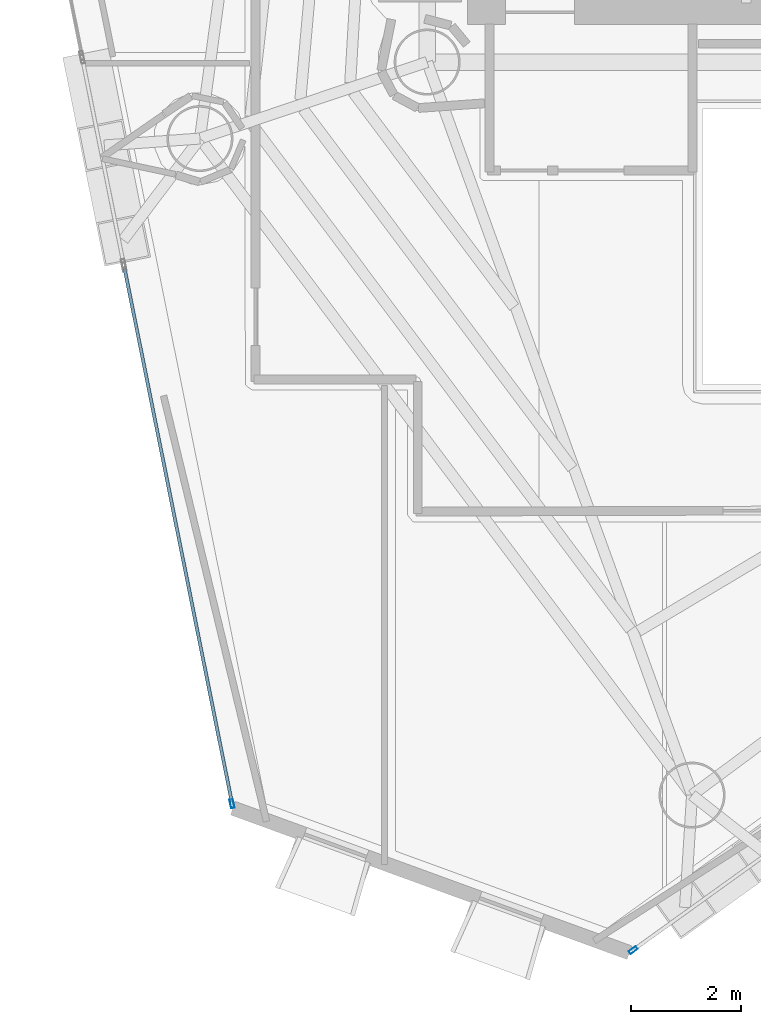
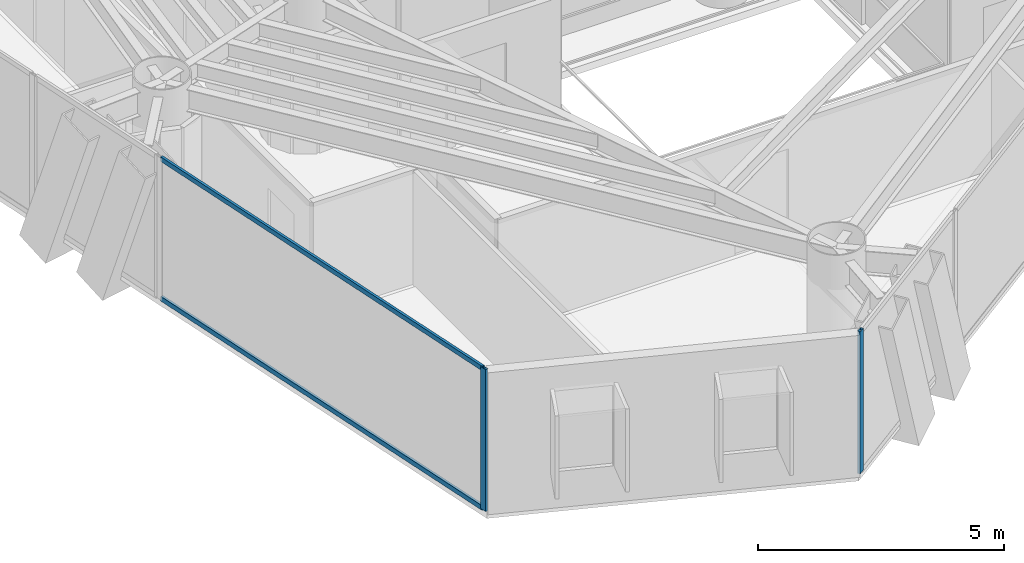
# One storey, part 2 of 22: 4 members, 2 elements without a shape of their own.
"""IFC4 building model written with IfcOpenShell, lengths in metres."""

from ifc_helpers import new_model, si_unit, direction, frame, origin, origin_2d, place, context, subcontext, project, spatial, hollow_rectangle, extrude, material, layer, layer_set, material_profile, profile_set, type_object, element, aggregate, save


model = new_model("IFC4")

# Units and contexts
model_context = context("Model", 3, precision=1e-05, world=origin(), true_north=direction((0.0, 1.0)))
body_context = subcontext(model_context, "Body", "Model", "MODEL_VIEW")
ifc_project = project(units=[si_unit("LENGTHUNIT", "METRE"), si_unit("AREAUNIT", "SQUARE_METRE"), si_unit("VOLUMEUNIT", "CUBIC_METRE"), si_unit("PLANEANGLEUNIT", "RADIAN"), si_unit("MASSUNIT", "GRAM", prefix="KILO")], contexts=[model_context])

# Site, building, storey
site_placement = place(None, origin())
site = spatial("IfcSite", under=ifc_project, at=site_placement, CompositionType="ELEMENT")
building_placement = place(site_placement, origin())
building = spatial("IfcBuilding", under=site, at=building_placement, Name="Qianvela Tower", CompositionType="ELEMENT")
storey_placement = place(building_placement, frame((0.0, 0.0, 200.300048828125)))
storey = spatial("IfcBuildingStorey", under=building, at=storey_placement, Name="L51", CompositionType="ELEMENT", Elevation=200.300048828125)

# Curtain wall, member
ifc_material_1 = material(Name="Anodised Architectural Aluminium and Insulated Spandrel Panel", Category="aluminium")
ifc_layer_1 = layer(ifc_material_1, 0.179931640625)
ifc_layer_set_1 = layer_set([ifc_layer_1], Name="Anodised Architectural Aluminium and Insulated Spandrel Panel")
curtain_wall_type_1 = type_object("IfcCurtainWallType", Name="CW-BRACEBAY", PredefinedType="USERDEFINED", material=ifc_layer_set_1)
curtain_wall_1_placement = place(storey_placement, origin())
curtain_wall_1 = element("IfcCurtainWall", 1, at=curtain_wall_1_placement, inside=storey, type_object=curtain_wall_type_1, Name="L51 CW-BRACEBAY Curtain Wall 06A", ObjectType="CURTAIN_WALL_SYSTEM", PredefinedType="USERDEFINED")
ifc_material_2 = material(Name="Anodised Architectural Aluminium 6063-T6", Category="aluminium")
ifc_material_profile_1 = material_profile(ifc_material_2, hollow_rectangle(XDim=0.06494140625, YDim=0.159912109375, WallThickness=0.0048828125, at=origin_2d()), Name="ALU-MULL-65x160")
ifc_profile_set_1 = profile_set([ifc_material_profile_1], Name="Anodised Architectural Aluminium 6063-T6")
member_type_1 = type_object("IfcMemberType", Name="CW-BRACEBAY-MULL", PredefinedType="MULLION", material=ifc_profile_set_1)
member_1_placement = place(storey_placement, frame((32.343505859375, 7.715087890625, 0.0), z_axis=(0.0, 0.0, 1.0), x_axis=(-0.583719352294, 0.81195549001, 0.0)))
member_1 = element("IfcMember", 2, at=member_1_placement, type_object=member_type_1, Name="CW-9 mullion 1", PredefinedType="MULLION", context=body_context, shape_type="SweptSolid", body=[
    extrude(hollow_rectangle(XDim=0.06494140625, YDim=0.159912109375, WallThickness=0.0048828125, at=origin_2d()), origin(), (0.0, 0.0, 1.0), 3.52001953125),
])
aggregate(curtain_wall_1, [member_1])

# Curtain wall, members
ifc_material_3 = material(Name="Anodised Architectural Aluminium and Low-E Glass", Category="aluminium")
ifc_layer_2 = layer(ifc_material_3, 0.159912109375)
ifc_layer_set_2 = layer_set([ifc_layer_2], Name="Anodised Architectural Aluminium and Low-E Glass")
curtain_wall_type_2 = type_object("IfcCurtainWallType", Name="CW-COLIV-Z56", PredefinedType="USERDEFINED", material=ifc_layer_set_2)
curtain_wall_2_placement = place(storey_placement, origin())
curtain_wall_2 = element("IfcCurtainWall", 3, at=curtain_wall_2_placement, inside=storey, type_object=curtain_wall_type_2, Name="L51 CW-COLIV-Z56 Curtain Wall 04C", ObjectType="CURTAIN_WALL_SYSTEM", PredefinedType="USERDEFINED")
ifc_material_4 = material(Name="Anodised Architectural Aluminium 6063-T6", Category="aluminium")
ifc_material_profile_2 = material_profile(ifc_material_4, hollow_rectangle(XDim=0.06494140625, YDim=0.159912109375, WallThickness=0.0048828125, at=origin_2d()), Name="ALU-MULL-65x160")
ifc_profile_set_2 = profile_set([ifc_material_profile_2], Name="Anodised Architectural Aluminium 6063-T6")
member_type_2 = type_object("IfcMemberType", Name="CW-COLIV-Z56-MULL", PredefinedType="MULLION", material=ifc_profile_set_2)
member_2_placement = place(storey_placement, frame((25.05615234375, 10.373779296875, 0.0), z_axis=(0.0, 0.0, 1.0), x_axis=(0.980407058287, 0.196982232858, 0.0)))
member_2 = element("IfcMember", 4, at=member_2_placement, type_object=member_type_2, Name="CW-5 mullion 2", PredefinedType="MULLION", context=body_context, shape_type="SweptSolid", body=[
    extrude(hollow_rectangle(XDim=0.06494140625, YDim=0.159912109375, WallThickness=0.0048828125, at=origin_2d()), origin(), (0.0, 0.0, 1.0), 3.52001953125),
])
ifc_material_5 = material(Name="Anodised Architectural Aluminium 6063-T6", Category="aluminium")
ifc_material_profile_3 = material_profile(ifc_material_5, hollow_rectangle(XDim=0.06005859375, YDim=0.114990234375, WallThickness=0.00390625, at=origin_2d()), Name="ALU-TRAN-60x115")
ifc_profile_set_3 = profile_set([ifc_material_profile_3], Name="Anodised Architectural Aluminium 6063-T6")
member_type_3 = type_object("IfcMemberType", Name="CW-COLIV-Z56-TRAN", PredefinedType="USERDEFINED", material=ifc_profile_set_3)
member_3_placement = place(storey_placement, frame((23.102783203125, 20.094970703125, 0.030029296875), z_axis=(0.197004403428, -0.980402603541, 0.0), x_axis=(0.980402603541, 0.197004403428, 0.0)))
member_3 = element("IfcMember", 5, at=member_3_placement, type_object=member_type_3, Name="CW-5 transom 1.1", ObjectType="TRANSOM", PredefinedType="USERDEFINED", context=body_context, shape_type="SweptSolid", body=[
    extrude(hollow_rectangle(XDim=0.06005859375, YDim=0.114990234375, WallThickness=0.00390625, at=origin_2d()), origin(), (0.0, 0.0, 1.0), 9.883056640625),
])
member_4_placement = place(storey_placement, frame((23.102783203125, 20.094970703125, 3.489990234375), z_axis=(0.197004403428, -0.980402603541, 0.0), x_axis=(0.980402603541, 0.197004403428, 0.0)))
member_4 = element("IfcMember", 6, at=member_4_placement, type_object=member_type_3, Name="CW-5 transom 1.2", ObjectType="TRANSOM", PredefinedType="USERDEFINED", context=body_context, shape_type="SweptSolid", body=[
    extrude(hollow_rectangle(XDim=0.06005859375, YDim=0.114990234375, WallThickness=0.00390625, at=origin_2d()), origin(), (0.0, 0.0, 1.0), 9.883056640625),
])
aggregate(curtain_wall_2, [member_2, member_3, member_4])

save(model, "model.ifc")
